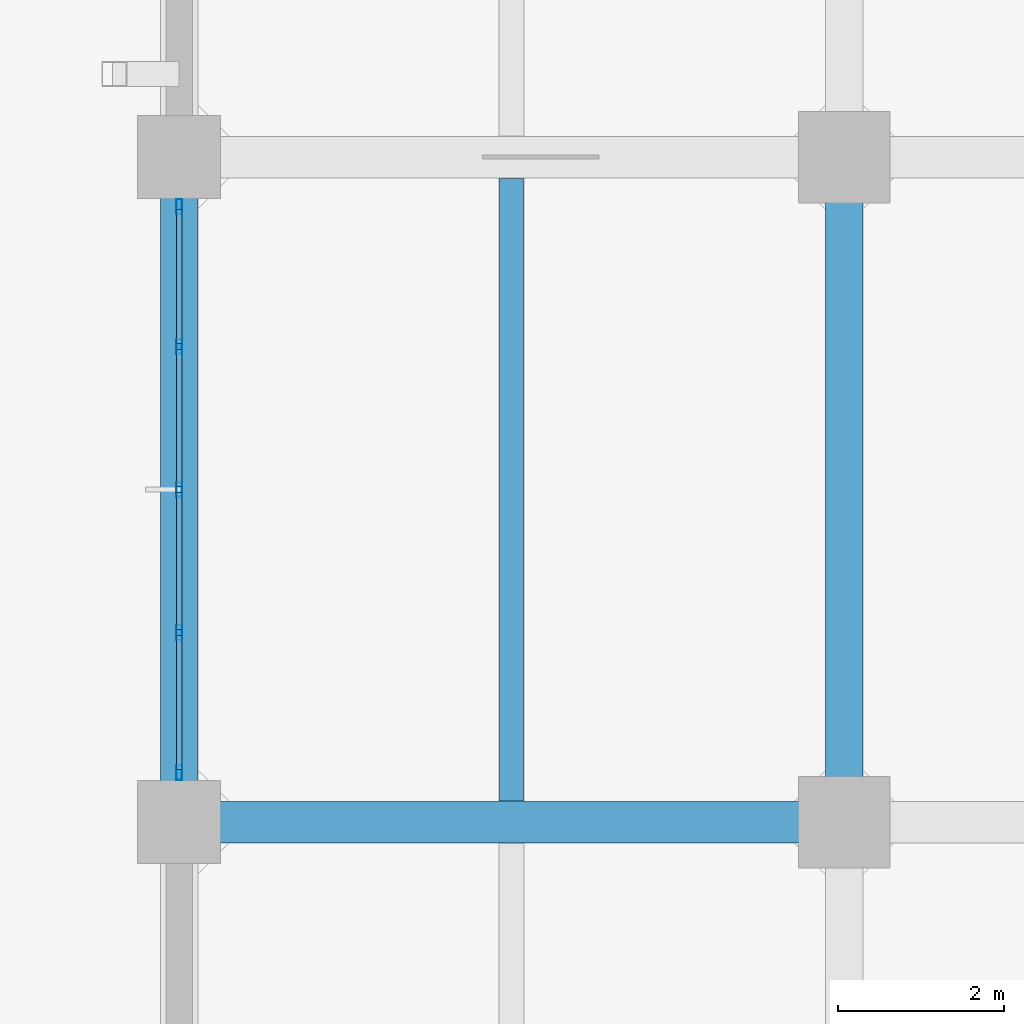
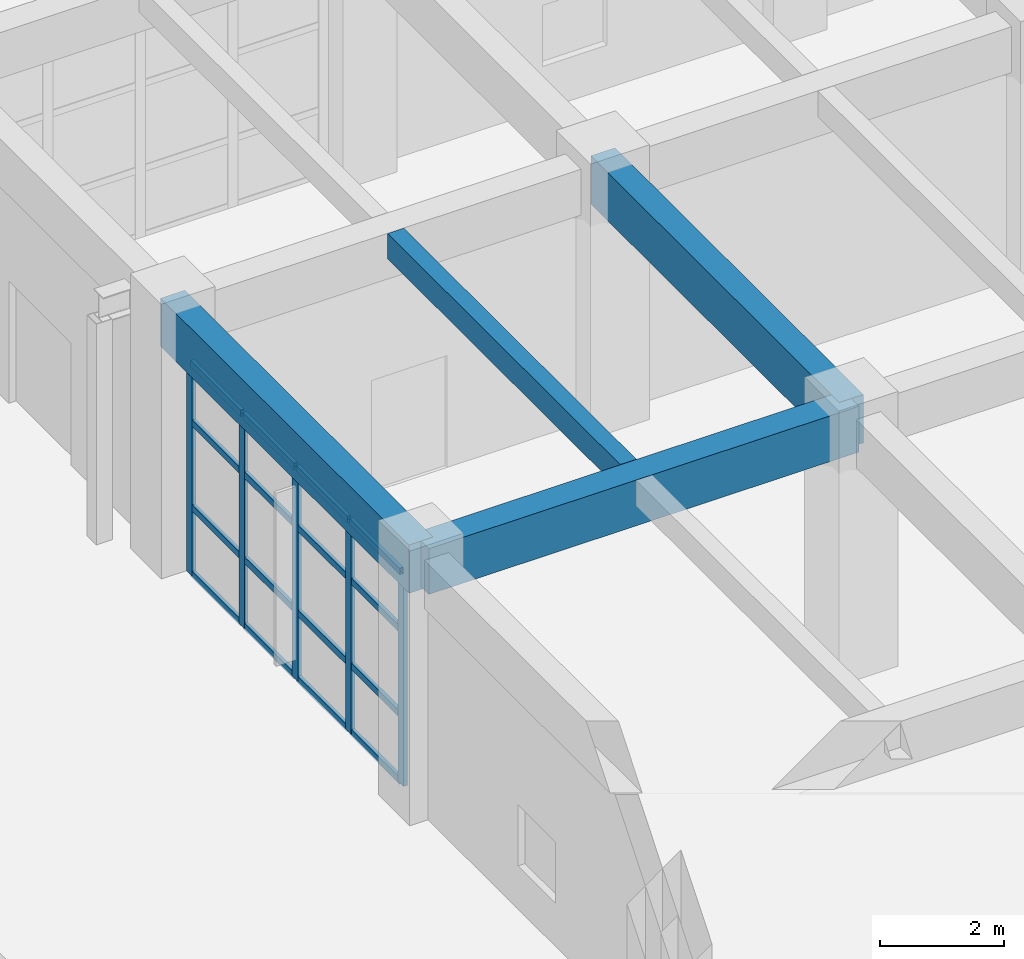
# One storey, part 40 of 90: 21 members, 4 beams, 1 element without a shape of its own.
"""IFC4 building model written with IfcOpenShell, lengths in metres."""

from ifc_helpers import new_model, si_unit, direction, frame, origin, origin_2d, place, context, subcontext, project, spatial, rectangle, hollow_rectangle, extrude, material, layer, layer_set, material_profile, profile_set, type_object, element, aggregate, save


model = new_model("IFC4")

# Units and contexts
model_context = context("Model", 3, precision=1e-05, world=origin(), true_north=direction((0.0, 1.0)))
body_context = subcontext(model_context, "Body", "Model", "MODEL_VIEW")
ifc_project = project(units=[si_unit("LENGTHUNIT", "METRE"), si_unit("AREAUNIT", "SQUARE_METRE"), si_unit("VOLUMEUNIT", "CUBIC_METRE"), si_unit("PLANEANGLEUNIT", "RADIAN"), si_unit("MASSUNIT", "GRAM", prefix="KILO")], contexts=[model_context])

# Site, building, storey
site_placement = place(None, origin())
site = spatial("IfcSite", under=ifc_project, at=site_placement, CompositionType="ELEMENT")
building_placement = place(site_placement, origin())
building = spatial("IfcBuilding", under=site, at=building_placement, Name="Canggui Botanical Conservatory", CompositionType="ELEMENT")
storey_placement = place(building_placement, origin())
storey = spatial("IfcBuildingStorey", under=building, at=storey_placement, Name="L01", CompositionType="ELEMENT", Elevation=0.0)

# Beams
ifc_material_1 = material(Name="Concrete C35", Category="concrete")
ifc_material_profile_1 = material_profile(ifc_material_1, rectangle(XDim=0.300048828125, YDim=0.5, at=origin_2d()), Name="RB 300x500")
ifc_profile_set_1 = profile_set([ifc_material_profile_1], Name="Concrete C35")
beam_type_1 = type_object("IfcBeamType", Name="BM-JST02", PredefinedType="JOIST", material=ifc_profile_set_1)
beam_1_placement = place(storey_placement, frame((134.0, 66.2548828125, 4.8701171875), z_axis=(0.0, 1.0, 0.0), x_axis=(-1.0, 0.0, 0.0)))
element("IfcBeam", 1, at=beam_1_placement, inside=storey, type_object=beam_type_1, Name="Secondary Floor Joist L01-1-6", PredefinedType="JOIST", context=body_context, shape_type="SweptSolid", body=[
    extrude(rectangle(XDim=0.300048828125, YDim=0.5, at=origin_2d()), origin(), (0.0, 0.0, 1.0), 7.490234375),
])
ifc_material_profile_2 = material_profile(ifc_material_1, rectangle(XDim=0.5, YDim=0.89990234375, at=origin_2d()), Name="RB 500x900")
ifc_profile_set_2 = profile_set([ifc_material_profile_2], Name="Concrete C35")
beam_type_2 = type_object("IfcBeamType", Name="BM-KL03", PredefinedType="BEAM", material=ifc_profile_set_2)
beam_2_placement = place(storey_placement, frame((130.0, 66.0, 4.669921875), z_axis=(1.0, 0.0, 0.0), x_axis=(0.0, 1.0, 0.0)))
element("IfcBeam", 2, at=beam_2_placement, inside=storey, type_object=beam_type_2, Name="Frame Girder L01 Y66-1", PredefinedType="BEAM", context=body_context, shape_type="SweptSolid", body=[
    extrude(rectangle(XDim=0.5, YDim=0.89990234375, at=origin_2d()), origin(), (0.0, 0.0, 1.0), 8.0),
])
ifc_material_profile_3 = material_profile(ifc_material_1, rectangle(XDim=0.449951171875, YDim=0.949951171875, at=origin_2d()), Name="RB 450x950")
ifc_profile_set_3 = profile_set([ifc_material_profile_3], Name="Concrete C35")
beam_type_3 = type_object("IfcBeamType", Name="BM-KL04", PredefinedType="BEAM", material=ifc_profile_set_3)
for number, where, z_axis, x_axis, name in (
    (3, (130.0, 66.0, 4.64501953125), (0.0, 1.0, 0.0), (-1.0, 0.0, 0.0), "Frame Girder L01 X130-6"),
    (4, (138.0, 66.0, 4.64501953125), (0.0, 1.0, 0.0), (-1.0, 0.0, 0.0), "Frame Girder L01 X138-6"),
):
    element("IfcBeam", number, at=place(storey_placement, frame(where, z_axis=z_axis, x_axis=x_axis)), inside=storey, type_object=beam_type_3, Name=name, PredefinedType="BEAM", context=body_context, shape_type="SweptSolid", body=[
        extrude(rectangle(XDim=0.449951171875, YDim=0.949951171875, at=origin_2d()), origin(), (0.0, 0.0, 1.0), 8.0),
    ])

# Curtain wall, members
ifc_material_2 = material(Name="Thermally Broken Aluminium", Category="aluminium")
ifc_layer = layer(ifc_material_2, 0.179931640625, Name="Thermally Broken Aluminium", Category="aluminium")
ifc_layer_set = layer_set([ifc_layer], Name="Thermally Broken Aluminium")
curtain_wall_type = type_object("IfcCurtainWallType", Name="CW-UNIT-A", PredefinedType="USERDEFINED", material=ifc_layer_set)
curtain_wall_placement = place(storey_placement, origin())
curtain_wall = element("IfcCurtainWall", 5, at=curtain_wall_placement, inside=storey, type_object=curtain_wall_type, Name="Facade Curtain Wall CW-TWR-L01-09", ObjectType="UNITISED CURTAIN WALL", PredefinedType="USERDEFINED")
ifc_material_profile_4 = material_profile(ifc_material_2, hollow_rectangle(XDim=0.070068359375, YDim=0.179931640625, WallThickness=0.00390625, at=origin_2d()), Name="CWM 70x180x4")
ifc_profile_set_4 = profile_set([ifc_material_profile_4], Name="Thermally Broken Aluminium")
member_type_1 = type_object("IfcMemberType", Name="CWM-01", PredefinedType="MULLION", material=ifc_profile_set_4)
member_1_placement = place(storey_placement, frame((130.0, 66.594970703125, 0.0), z_axis=(0.0, 0.0, 1.0), x_axis=(-1.0, 0.0, 0.0)))
member_1 = element("IfcMember", 6, at=member_1_placement, type_object=member_type_1, Name="CW-01 mullion 1", PredefinedType="MULLION", context=body_context, shape_type="SweptSolid", body=[
    extrude(hollow_rectangle(XDim=0.070068359375, YDim=0.179931640625, WallThickness=0.00390625, at=origin_2d()), origin(), (0.0, 0.0, 1.0), 4.179931640625),
])
member_2_placement = place(storey_placement, frame((130.0, 68.280029296875, 0.0), z_axis=(0.0, 0.0, 1.0), x_axis=(-1.0, 0.0, 0.0)))
member_2 = element("IfcMember", 7, at=member_2_placement, type_object=member_type_1, Name="CW-01 mullion 2", PredefinedType="MULLION", context=body_context, shape_type="SweptSolid", body=[
    extrude(hollow_rectangle(XDim=0.070068359375, YDim=0.179931640625, WallThickness=0.00390625, at=origin_2d()), origin(), (0.0, 0.0, 1.0), 4.179931640625),
])
member_3_placement = place(storey_placement, frame((130.0, 70.0, 0.0), z_axis=(0.0, 0.0, 1.0), x_axis=(-1.0, 0.0, 0.0)))
member_3 = element("IfcMember", 8, at=member_3_placement, type_object=member_type_1, Name="CW-01 mullion 3", PredefinedType="MULLION", context=body_context, shape_type="SweptSolid", body=[
    extrude(hollow_rectangle(XDim=0.070068359375, YDim=0.179931640625, WallThickness=0.00390625, at=origin_2d()), origin(), (0.0, 0.0, 1.0), 4.179931640625),
])
member_4_placement = place(storey_placement, frame((130.0, 71.719970703125, 0.0), z_axis=(0.0, 0.0, 1.0), x_axis=(-1.0, 0.0, 0.0)))
member_4 = element("IfcMember", 9, at=member_4_placement, type_object=member_type_1, Name="CW-01 mullion 4", PredefinedType="MULLION", context=body_context, shape_type="SweptSolid", body=[
    extrude(hollow_rectangle(XDim=0.070068359375, YDim=0.179931640625, WallThickness=0.00390625, at=origin_2d()), origin(), (0.0, 0.0, 1.0), 4.179931640625),
])
member_5_placement = place(storey_placement, frame((130.0, 73.405029296875, 0.0), z_axis=(0.0, 0.0, 1.0), x_axis=(-1.0, 0.0, 0.0)))
member_5 = element("IfcMember", 10, at=member_5_placement, type_object=member_type_1, Name="CW-01 mullion 5", PredefinedType="MULLION", context=body_context, shape_type="SweptSolid", body=[
    extrude(hollow_rectangle(XDim=0.070068359375, YDim=0.179931640625, WallThickness=0.00390625, at=origin_2d()), origin(), (0.0, 0.0, 1.0), 4.179931640625),
])
ifc_material_profile_5 = material_profile(ifc_material_2, hollow_rectangle(XDim=0.06494140625, YDim=0.1298828125, WallThickness=0.00341796875, at=origin_2d()), Name="CWT 65x130x3.5")
ifc_profile_set_5 = profile_set([ifc_material_profile_5], Name="Thermally Broken Aluminium")
member_type_2 = type_object("IfcMemberType", Name="CWT-01", PredefinedType="USERDEFINED", material=ifc_profile_set_5)
member_6_placement = place(storey_placement, frame((130.0, 66.6298828125, 0.032470703125), z_axis=(0.0, 1.0, 0.0), x_axis=(-1.0, 0.0, 0.0)))
member_6 = element("IfcMember", 11, at=member_6_placement, type_object=member_type_2, Name="CW-01 transom 1.1", ObjectType="TRANSOM", PredefinedType="USERDEFINED", context=body_context, shape_type="SweptSolid", body=[
    extrude(hollow_rectangle(XDim=0.06494140625, YDim=0.1298828125, WallThickness=0.00341796875, at=origin_2d()), origin(), (0.0, 0.0, 1.0), 1.615234375),
])
member_7_placement = place(storey_placement, frame((130.0, 66.6298828125, 1.337646484375), z_axis=(0.0, 1.0, 0.0), x_axis=(-1.0, 0.0, 0.0)))
member_7 = element("IfcMember", 12, at=member_7_placement, type_object=member_type_2, Name="CW-01 transom 1.2", ObjectType="TRANSOM", PredefinedType="USERDEFINED", context=body_context, shape_type="SweptSolid", body=[
    extrude(hollow_rectangle(XDim=0.06494140625, YDim=0.1298828125, WallThickness=0.00341796875, at=origin_2d()), origin(), (0.0, 0.0, 1.0), 1.615234375),
])
member_8_placement = place(storey_placement, frame((130.0, 66.6298828125, 3.009521484375), z_axis=(0.0, 1.0, 0.0), x_axis=(-1.0, 0.0, 0.0)))
member_8 = element("IfcMember", 13, at=member_8_placement, type_object=member_type_2, Name="CW-01 transom 1.3", ObjectType="TRANSOM", PredefinedType="USERDEFINED", context=body_context, shape_type="SweptSolid", body=[
    extrude(hollow_rectangle(XDim=0.06494140625, YDim=0.1298828125, WallThickness=0.00341796875, at=origin_2d()), origin(), (0.0, 0.0, 1.0), 1.615234375),
])
member_9_placement = place(storey_placement, frame((130.0, 66.6298828125, 4.1474609375), z_axis=(0.0, 1.0, 0.0), x_axis=(-1.0, 0.0, 0.0)))
member_9 = element("IfcMember", 14, at=member_9_placement, type_object=member_type_2, Name="CW-01 transom 1.4", ObjectType="TRANSOM", PredefinedType="USERDEFINED", context=body_context, shape_type="SweptSolid", body=[
    extrude(hollow_rectangle(XDim=0.06494140625, YDim=0.1298828125, WallThickness=0.00341796875, at=origin_2d()), origin(), (0.0, 0.0, 1.0), 1.615234375),
])
member_10_placement = place(storey_placement, frame((130.0, 68.31494140625, 0.032470703125), z_axis=(0.0, 1.0, 0.0), x_axis=(-1.0, 0.0, 0.0)))
member_10 = element("IfcMember", 15, at=member_10_placement, type_object=member_type_2, Name="CW-01 transom 2.1", ObjectType="TRANSOM", PredefinedType="USERDEFINED", context=body_context, shape_type="SweptSolid", body=[
    extrude(hollow_rectangle(XDim=0.06494140625, YDim=0.1298828125, WallThickness=0.00341796875, at=origin_2d()), origin(), (0.0, 0.0, 1.0), 1.650146484375),
])
member_11_placement = place(storey_placement, frame((130.0, 68.31494140625, 1.337646484375), z_axis=(0.0, 1.0, 0.0), x_axis=(-1.0, 0.0, 0.0)))
member_11 = element("IfcMember", 16, at=member_11_placement, type_object=member_type_2, Name="CW-01 transom 2.2", ObjectType="TRANSOM", PredefinedType="USERDEFINED", context=body_context, shape_type="SweptSolid", body=[
    extrude(hollow_rectangle(XDim=0.06494140625, YDim=0.1298828125, WallThickness=0.00341796875, at=origin_2d()), origin(), (0.0, 0.0, 1.0), 1.650146484375),
])
member_12_placement = place(storey_placement, frame((130.0, 68.31494140625, 3.009521484375), z_axis=(0.0, 1.0, 0.0), x_axis=(-1.0, 0.0, 0.0)))
member_12 = element("IfcMember", 17, at=member_12_placement, type_object=member_type_2, Name="CW-01 transom 2.3", ObjectType="TRANSOM", PredefinedType="USERDEFINED", context=body_context, shape_type="SweptSolid", body=[
    extrude(hollow_rectangle(XDim=0.06494140625, YDim=0.1298828125, WallThickness=0.00341796875, at=origin_2d()), origin(), (0.0, 0.0, 1.0), 1.650146484375),
])
member_13_placement = place(storey_placement, frame((130.0, 68.31494140625, 4.1474609375), z_axis=(0.0, 1.0, 0.0), x_axis=(-1.0, 0.0, 0.0)))
member_13 = element("IfcMember", 18, at=member_13_placement, type_object=member_type_2, Name="CW-01 transom 2.4", ObjectType="TRANSOM", PredefinedType="USERDEFINED", context=body_context, shape_type="SweptSolid", body=[
    extrude(hollow_rectangle(XDim=0.06494140625, YDim=0.1298828125, WallThickness=0.00341796875, at=origin_2d()), origin(), (0.0, 0.0, 1.0), 1.650146484375),
])
member_14_placement = place(storey_placement, frame((130.0, 70.034912109375, 0.032470703125), z_axis=(0.0, 1.0, 0.0), x_axis=(-1.0, 0.0, 0.0)))
member_14 = element("IfcMember", 19, at=member_14_placement, type_object=member_type_2, Name="CW-01 transom 3.1", ObjectType="TRANSOM", PredefinedType="USERDEFINED", context=body_context, shape_type="SweptSolid", body=[
    extrude(hollow_rectangle(XDim=0.06494140625, YDim=0.1298828125, WallThickness=0.00341796875, at=origin_2d()), origin(), (0.0, 0.0, 1.0), 1.650146484375),
])
member_15_placement = place(storey_placement, frame((130.0, 70.034912109375, 1.337646484375), z_axis=(0.0, 1.0, 0.0), x_axis=(-1.0, 0.0, 0.0)))
member_15 = element("IfcMember", 20, at=member_15_placement, type_object=member_type_2, Name="CW-01 transom 3.2", ObjectType="TRANSOM", PredefinedType="USERDEFINED", context=body_context, shape_type="SweptSolid", body=[
    extrude(hollow_rectangle(XDim=0.06494140625, YDim=0.1298828125, WallThickness=0.00341796875, at=origin_2d()), origin(), (0.0, 0.0, 1.0), 1.650146484375),
])
member_16_placement = place(storey_placement, frame((130.0, 70.034912109375, 3.009521484375), z_axis=(0.0, 1.0, 0.0), x_axis=(-1.0, 0.0, 0.0)))
member_16 = element("IfcMember", 21, at=member_16_placement, type_object=member_type_2, Name="CW-01 transom 3.3", ObjectType="TRANSOM", PredefinedType="USERDEFINED", context=body_context, shape_type="SweptSolid", body=[
    extrude(hollow_rectangle(XDim=0.06494140625, YDim=0.1298828125, WallThickness=0.00341796875, at=origin_2d()), origin(), (0.0, 0.0, 1.0), 1.650146484375),
])
member_17_placement = place(storey_placement, frame((130.0, 70.034912109375, 4.1474609375), z_axis=(0.0, 1.0, 0.0), x_axis=(-1.0, 0.0, 0.0)))
member_17 = element("IfcMember", 22, at=member_17_placement, type_object=member_type_2, Name="CW-01 transom 3.4", ObjectType="TRANSOM", PredefinedType="USERDEFINED", context=body_context, shape_type="SweptSolid", body=[
    extrude(hollow_rectangle(XDim=0.06494140625, YDim=0.1298828125, WallThickness=0.00341796875, at=origin_2d()), origin(), (0.0, 0.0, 1.0), 1.650146484375),
])
member_18_placement = place(storey_placement, frame((130.0, 71.7548828125, 0.032470703125), z_axis=(0.0, 1.0, 0.0), x_axis=(-1.0, 0.0, 0.0)))
member_18 = element("IfcMember", 23, at=member_18_placement, type_object=member_type_2, Name="CW-01 transom 4.1", ObjectType="TRANSOM", PredefinedType="USERDEFINED", context=body_context, shape_type="SweptSolid", body=[
    extrude(hollow_rectangle(XDim=0.06494140625, YDim=0.1298828125, WallThickness=0.00341796875, at=origin_2d()), origin(), (0.0, 0.0, 1.0), 1.615234375),
])
member_19_placement = place(storey_placement, frame((130.0, 71.7548828125, 1.337646484375), z_axis=(0.0, 1.0, 0.0), x_axis=(-1.0, 0.0, 0.0)))
member_19 = element("IfcMember", 24, at=member_19_placement, type_object=member_type_2, Name="CW-01 transom 4.2", ObjectType="TRANSOM", PredefinedType="USERDEFINED", context=body_context, shape_type="SweptSolid", body=[
    extrude(hollow_rectangle(XDim=0.06494140625, YDim=0.1298828125, WallThickness=0.00341796875, at=origin_2d()), origin(), (0.0, 0.0, 1.0), 1.615234375),
])
member_20_placement = place(storey_placement, frame((130.0, 71.7548828125, 3.009521484375), z_axis=(0.0, 1.0, 0.0), x_axis=(-1.0, 0.0, 0.0)))
member_20 = element("IfcMember", 25, at=member_20_placement, type_object=member_type_2, Name="CW-01 transom 4.3", ObjectType="TRANSOM", PredefinedType="USERDEFINED", context=body_context, shape_type="SweptSolid", body=[
    extrude(hollow_rectangle(XDim=0.06494140625, YDim=0.1298828125, WallThickness=0.00341796875, at=origin_2d()), origin(), (0.0, 0.0, 1.0), 1.615234375),
])
member_21_placement = place(storey_placement, frame((130.0, 71.7548828125, 4.1474609375), z_axis=(0.0, 1.0, 0.0), x_axis=(-1.0, 0.0, 0.0)))
member_21 = element("IfcMember", 26, at=member_21_placement, type_object=member_type_2, Name="CW-01 transom 4.4", ObjectType="TRANSOM", PredefinedType="USERDEFINED", context=body_context, shape_type="SweptSolid", body=[
    extrude(hollow_rectangle(XDim=0.06494140625, YDim=0.1298828125, WallThickness=0.00341796875, at=origin_2d()), origin(), (0.0, 0.0, 1.0), 1.615234375),
])
aggregate(curtain_wall, [member_1, member_2, member_3, member_4, member_5, member_6, member_7, member_8, member_9, member_10, member_11, member_12, member_13, member_14, member_15, member_16, member_17, member_18, member_19, member_20, member_21])

save(model, "model.ifc")
